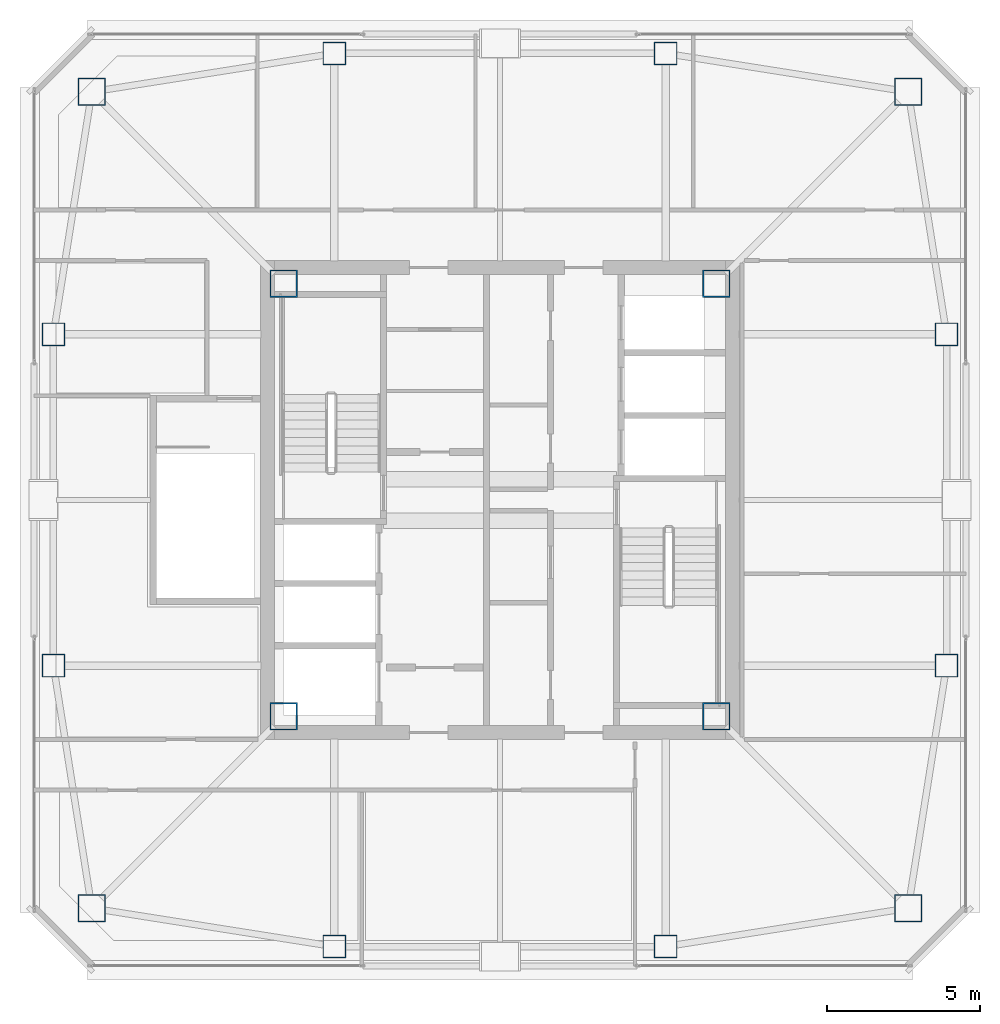
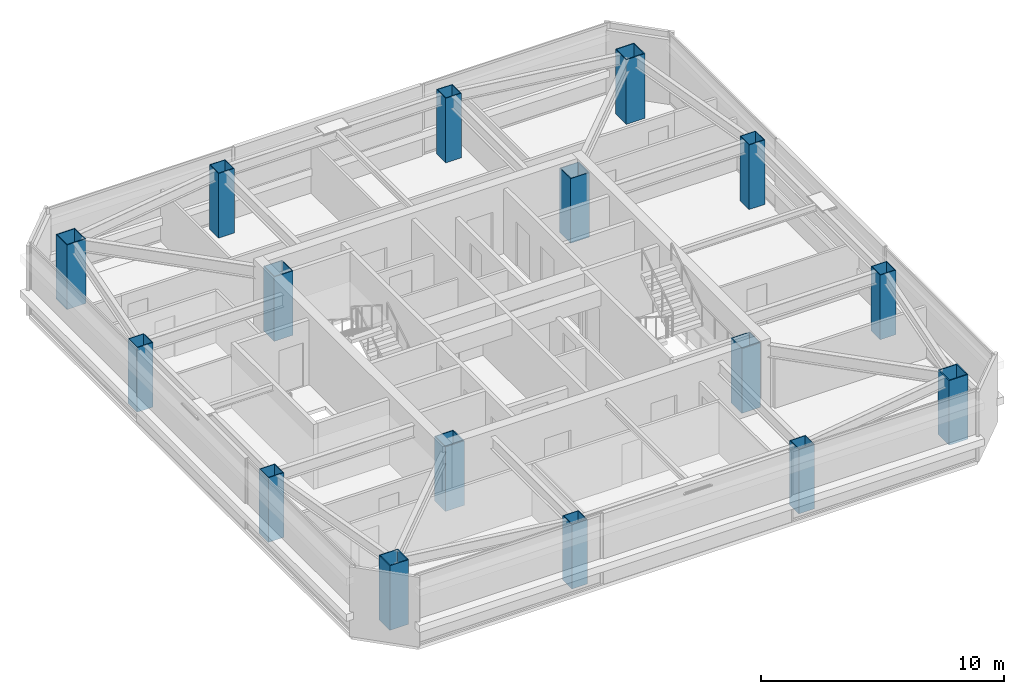
# One storey, part 1 of 18: 16 columns.
"""IFC4 building model written with IfcOpenShell, lengths in metres."""

from ifc_helpers import new_model, si_unit, direction, frame, origin, origin_2d, place, context, subcontext, project, spatial, hollow_rectangle, extrude, material, material_profile, profile_set, type_object, element, save


model = new_model("IFC4")

# Units and contexts
model_context = context("Model", 3, precision=1e-05, world=origin(), true_north=direction((0.0, 1.0)))
body_context = subcontext(model_context, "Body", "Model", "MODEL_VIEW")
ifc_project = project(units=[si_unit("LENGTHUNIT", "METRE"), si_unit("AREAUNIT", "SQUARE_METRE"), si_unit("VOLUMEUNIT", "CUBIC_METRE"), si_unit("PLANEANGLEUNIT", "RADIAN"), si_unit("MASSUNIT", "GRAM", prefix="KILO")], contexts=[model_context])

# Site, building, storey
site_placement = place(None, origin())
site = spatial("IfcSite", under=ifc_project, at=site_placement, CompositionType="ELEMENT")
building_placement = place(site_placement, origin())
building = spatial("IfcBuilding", under=site, at=building_placement, Name="Tashvorn Skyway Center", CompositionType="ELEMENT")
storey_placement = place(building_placement, frame((0.0, 0.0, 274.050048828125)))
storey = spatial("IfcBuildingStorey", under=building, at=storey_placement, Name="L74", CompositionType="ELEMENT", Elevation=274.050048828125)

# Columns
ifc_material = material(Name="Steel ASTM A572 Grade 50", Category="steel")
ifc_material_profile_1 = material_profile(ifc_material, hollow_rectangle(XDim=0.75, YDim=0.75, WallThickness=0.031982421875, at=origin_2d()), Name="BOX750x750x32")
ifc_profile_set_1 = profile_set([ifc_material_profile_1], Name="Steel ASTM A572 Grade 50")
column_type_1 = type_object("IfcColumnType", Name="COL-BOX750x750x32", PredefinedType="COLUMN", material=ifc_profile_set_1)
for number, where, z_axis, x_axis, name in (
    (1, (36.60009765625, 17.449951171875, 0.0), (0.0, 0.0, 1.0), (1.0, 0.0, 0.0), "Tower 1 L74 Perimeter Column FC-S1"),
    (2, (47.39990234375, 17.449951171875, 0.0), (0.0, 0.0, 1.0), (1.0, 0.0, 0.0), "Tower 1 L74 Perimeter Column FC-S2"),
    (3, (56.550048828125, 26.60009765625, 0.0), (0.0, 0.0, 1.0), (1.0, 0.0, 0.0), "Tower 1 L74 Perimeter Column FC-E1"),
    (4, (56.550048828125, 37.39990234375, 0.0), (0.0, 0.0, 1.0), (1.0, 0.0, 0.0), "Tower 1 L74 Perimeter Column FC-E2"),
    (5, (47.39990234375, 46.550048828125, 0.0), (0.0, 0.0, 1.0), (1.0, 0.0, 0.0), "Tower 1 L74 Perimeter Column FC-N1"),
    (6, (36.60009765625, 46.550048828125, 0.0), (0.0, 0.0, 1.0), (1.0, 0.0, 0.0), "Tower 1 L74 Perimeter Column FC-N2"),
    (7, (27.449951171875, 37.39990234375, 0.0), (0.0, 0.0, 1.0), (1.0, 0.0, 0.0), "Tower 1 L74 Perimeter Column FC-W1"),
    (8, (27.449951171875, 26.60009765625, 0.0), (0.0, 0.0, 1.0), (1.0, 0.0, 0.0), "Tower 1 L74 Perimeter Column FC-W2"),
):
    element("IfcColumn", number, at=place(storey_placement, frame(where, z_axis=z_axis, x_axis=x_axis)), inside=storey, type_object=column_type_1, Name=name, PredefinedType="COLUMN", context=body_context, shape_type="SweptSolid", body=[
        extrude(hollow_rectangle(XDim=0.75, YDim=0.75, WallThickness=0.031982421875, at=origin_2d()), origin(), (0.0, 0.0, 1.0), 3.25),
    ])
ifc_material_profile_2 = material_profile(ifc_material, hollow_rectangle(XDim=0.89990234375, YDim=0.89990234375, WallThickness=0.0400390625, at=origin_2d()), Name="BOX900x900x40")
ifc_profile_set_2 = profile_set([ifc_material_profile_2], Name="Steel ASTM A572 Grade 50")
column_type_2 = type_object("IfcColumnType", Name="COL-BOX900x900x40", PredefinedType="COLUMN", material=ifc_profile_set_2)
for number, where, z_axis, x_axis, name in (
    (9, (34.949951171875, 24.949951171875, 0.0), (0.0, 0.0, 1.0), (1.0, 0.0, 0.0), "Tower 1 L74 Core Corner Column CC-SW"),
    (10, (49.050048828125, 24.949951171875, 0.0), (0.0, 0.0, 1.0), (1.0, 0.0, 0.0), "Tower 1 L74 Core Corner Column CC-SE"),
    (11, (49.050048828125, 39.050048828125, 0.0), (0.0, 0.0, 1.0), (1.0, 0.0, 0.0), "Tower 1 L74 Core Corner Column CC-NE"),
    (12, (34.949951171875, 39.050048828125, 0.0), (0.0, 0.0, 1.0), (1.0, 0.0, 0.0), "Tower 1 L74 Core Corner Column CC-NW"),
    (13, (28.699951171875, 18.699951171875, 0.0), (0.0, 0.0, 1.0), (1.0, 0.0, 0.0), "Tower 1 L74 Mega-Column MC-SW"),
    (14, (55.300048828125, 18.699951171875, 0.0), (0.0, 0.0, 1.0), (1.0, 0.0, 0.0), "Tower 1 L74 Mega-Column MC-SE"),
    (15, (55.300048828125, 45.300048828125, 0.0), (0.0, 0.0, 1.0), (1.0, 0.0, 0.0), "Tower 1 L74 Mega-Column MC-NE"),
    (16, (28.699951171875, 45.300048828125, 0.0), (0.0, 0.0, 1.0), (1.0, 0.0, 0.0), "Tower 1 L74 Mega-Column MC-NW"),
):
    element("IfcColumn", number, at=place(storey_placement, frame(where, z_axis=z_axis, x_axis=x_axis)), inside=storey, type_object=column_type_2, Name=name, PredefinedType="COLUMN", context=body_context, shape_type="SweptSolid", body=[
        extrude(hollow_rectangle(XDim=0.89990234375, YDim=0.89990234375, WallThickness=0.0400390625, at=origin_2d()), origin(), (0.0, 0.0, 1.0), 3.25),
    ])

save(model, "model.ifc")
